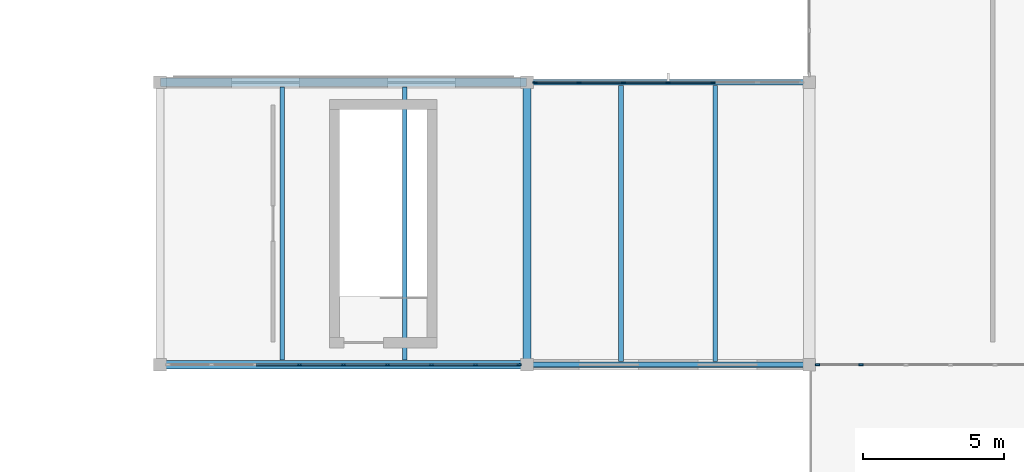
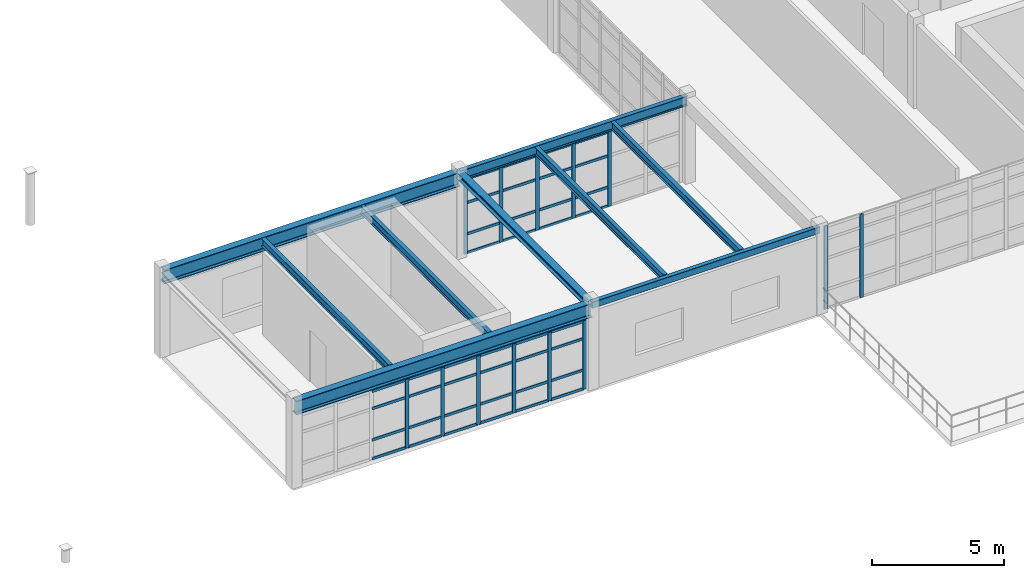
# One storey, part 59 of 122: 53 members, 9 beams, 3 elements without a shape of their own.
"""IFC4 building model written with IfcOpenShell, lengths in metres."""

from ifc_helpers import new_model, si_unit, direction, frame, origin, origin_2d, place, context, subcontext, project, spatial, rectangle, hollow_rectangle, i_section, extrude, material, layer, layer_set, material_profile, profile_set, type_object, element, aggregate, save


model = new_model("IFC4")

# Units and contexts
model_context = context("Model", 3, precision=1e-05, world=origin(), true_north=direction((0.0, 1.0)))
body_context = subcontext(model_context, "Body", "Model", "MODEL_VIEW")
ifc_project = project(units=[si_unit("LENGTHUNIT", "METRE"), si_unit("AREAUNIT", "SQUARE_METRE"), si_unit("VOLUMEUNIT", "CUBIC_METRE"), si_unit("PLANEANGLEUNIT", "RADIAN"), si_unit("MASSUNIT", "GRAM", prefix="KILO"), si_unit("THERMODYNAMICTEMPERATUREUNIT", "KELVIN"), si_unit("POWERUNIT", "WATT")], contexts=[model_context])

# Site, building, storey
site_placement = place(None, origin())
site = spatial("IfcSite", under=ifc_project, at=site_placement, CompositionType="ELEMENT")
building_placement = place(site_placement, origin())
building = spatial("IfcBuilding", under=site, at=building_placement, Name="Korenveer Ferry Terminal", CompositionType="ELEMENT")
storey_placement = place(building_placement, frame((0.0, 0.0, 10.199951171875)))
storey = spatial("IfcBuildingStorey", under=building, at=storey_placement, Name="L02", CompositionType="ELEMENT", Elevation=10.199951171875)

# Curtain wall, members
ifc_material_1 = material(Name="Unitised bronze-and-glass curtain wall", Category="glass")
ifc_layer_1 = layer(ifc_material_1, 0.159912109375)
ifc_layer_set_1 = layer_set([ifc_layer_1], Name="Unitised bronze-and-glass curtain wall")
curtain_wall_type_1 = type_object("IfcCurtainWallType", Name="ENV-CW-85", PredefinedType="USERDEFINED", material=ifc_layer_set_1)
curtain_wall_1_placement = place(storey_placement, frame((123.2548828125, 20.0, 0.0)))
curtain_wall_1 = element("IfcCurtainWall", 1, at=curtain_wall_1_placement, inside=storey, type_object=curtain_wall_type_1, Name="Lancet curtain wall CWX-L02-X123-136-Y20-20", ObjectType="UNITISED CURTAIN WALL", PredefinedType="USERDEFINED")
ifc_material_2 = material(Name="Anodised bronze aluminium", Category="aluminium")
ifc_material_profile_1 = material_profile(ifc_material_2, rectangle(XDim=0.06005859375, YDim=0.159912109375, at=origin_2d()), Name="ALU 60x160")
ifc_profile_set_1 = profile_set([ifc_material_profile_1], Name="Anodised bronze aluminium")
member_type_1 = type_object("IfcMemberType", Name="ENV-CWM-60X160", PredefinedType="MULLION", material=ifc_profile_set_1)
member_1_placement = place(storey_placement, frame((127.938720703125, 20.0, 0.0), z_axis=(0.0, 0.0, 1.0), x_axis=(0.0, 1.0, 0.0)))
member_1 = element("IfcMember", 2, at=member_1_placement, type_object=member_type_1, Name="CW-85 mullion 4", PredefinedType="MULLION", context=body_context, shape_type="SweptSolid", body=[
    extrude(rectangle(XDim=0.06005859375, YDim=0.159912109375, at=origin_2d()), origin(), (0.0, 0.0, 1.0), 3.179931640625),
])
member_2_placement = place(storey_placement, frame((129.5, 20.0, 0.0), z_axis=(0.0, 0.0, 1.0), x_axis=(0.0, 1.0, 0.0)))
member_2 = element("IfcMember", 3, at=member_2_placement, type_object=member_type_1, Name="CW-85 mullion 5", PredefinedType="MULLION", context=body_context, shape_type="SweptSolid", body=[
    extrude(rectangle(XDim=0.06005859375, YDim=0.159912109375, at=origin_2d()), origin(), (0.0, 0.0, 1.0), 3.179931640625),
])
member_3_placement = place(storey_placement, frame((131.061279296875, 20.0, 0.0), z_axis=(0.0, 0.0, 1.0), x_axis=(0.0, 1.0, 0.0)))
member_3 = element("IfcMember", 4, at=member_3_placement, type_object=member_type_1, Name="CW-85 mullion 6", PredefinedType="MULLION", context=body_context, shape_type="SweptSolid", body=[
    extrude(rectangle(XDim=0.06005859375, YDim=0.159912109375, at=origin_2d()), origin(), (0.0, 0.0, 1.0), 3.179931640625),
])
member_4_placement = place(storey_placement, frame((132.62255859375, 20.0, 0.0), z_axis=(0.0, 0.0, 1.0), x_axis=(0.0, 1.0, 0.0)))
member_4 = element("IfcMember", 5, at=member_4_placement, type_object=member_type_1, Name="CW-85 mullion 7", PredefinedType="MULLION", context=body_context, shape_type="SweptSolid", body=[
    extrude(rectangle(XDim=0.06005859375, YDim=0.159912109375, at=origin_2d()), origin(), (0.0, 0.0, 1.0), 3.179931640625),
])
member_5_placement = place(storey_placement, frame((134.183837890625, 20.0, 0.0), z_axis=(0.0, 0.0, 1.0), x_axis=(0.0, 1.0, 0.0)))
member_5 = element("IfcMember", 6, at=member_5_placement, type_object=member_type_1, Name="CW-85 mullion 8", PredefinedType="MULLION", context=body_context, shape_type="SweptSolid", body=[
    extrude(rectangle(XDim=0.06005859375, YDim=0.159912109375, at=origin_2d()), origin(), (0.0, 0.0, 1.0), 3.179931640625),
])
member_6_placement = place(storey_placement, frame((135.715087890625, 20.0, 0.0), z_axis=(0.0, 0.0, 1.0), x_axis=(0.0, 1.0, 0.0)))
member_6 = element("IfcMember", 7, at=member_6_placement, type_object=member_type_1, Name="CW-85 mullion 9", PredefinedType="MULLION", context=body_context, shape_type="SweptSolid", body=[
    extrude(rectangle(XDim=0.06005859375, YDim=0.159912109375, at=origin_2d()), origin(), (0.0, 0.0, 1.0), 3.179931640625),
])

ifc_layer_2 = layer(ifc_material_1, 0.159912109375)
ifc_layer_set_2 = layer_set([ifc_layer_2], Name="Unitised bronze-and-glass curtain wall")
curtain_wall_type_2 = type_object("IfcCurtainWallType", Name="ENV-CW-86", PredefinedType="USERDEFINED", material=ifc_layer_set_2)
curtain_wall_2_placement = place(storey_placement, frame((146.2548828125, 20.0, 0.0)))
curtain_wall_2 = element("IfcCurtainWall", 8, at=curtain_wall_2_placement, inside=storey, type_object=curtain_wall_type_2, Name="Lancet curtain wall CWX-L02-X146-156-Y20-20", ObjectType="UNITISED CURTAIN WALL", PredefinedType="USERDEFINED")
member_7_placement = place(storey_placement, frame((146.284912109375, 20.0, 0.0), z_axis=(0.0, 0.0, 1.0), x_axis=(0.0, 1.0, 0.0)))
member_7 = element("IfcMember", 9, at=member_7_placement, type_object=member_type_1, Name="CW-86 mullion 1", PredefinedType="MULLION", context=body_context, shape_type="SweptSolid", body=[
    extrude(rectangle(XDim=0.06005859375, YDim=0.159912109375, at=origin_2d()), origin(), (0.0, 0.0, 1.0), 3.860107421875),
])
member_8_placement = place(storey_placement, frame((147.836669921875, 20.0, 0.0), z_axis=(0.0, 0.0, 1.0), x_axis=(0.0, 1.0, 0.0)))
member_8 = element("IfcMember", 10, at=member_8_placement, type_object=member_type_1, Name="CW-86 mullion 2", PredefinedType="MULLION", context=body_context, shape_type="SweptSolid", body=[
    extrude(rectangle(XDim=0.06005859375, YDim=0.159912109375, at=origin_2d()), origin(), (0.0, 0.0, 1.0), 3.860107421875),
])
aggregate(curtain_wall_2, [member_7, member_8])

ifc_layer_3 = layer(ifc_material_1, 0.159912109375)
ifc_layer_set_3 = layer_set([ifc_layer_3], Name="Unitised bronze-and-glass curtain wall")
curtain_wall_type_3 = type_object("IfcCurtainWallType", Name="ENV-CW-89", PredefinedType="USERDEFINED", material=ifc_layer_set_3)
curtain_wall_3_placement = place(storey_placement, frame((136.2548828125, 30.0, 0.0)))
curtain_wall_3 = element("IfcCurtainWall", 11, at=curtain_wall_3_placement, inside=storey, type_object=curtain_wall_type_3, Name="Lancet curtain wall CWX-L02-X136-146-Y30-30", ObjectType="UNITISED CURTAIN WALL", PredefinedType="USERDEFINED")
member_9_placement = place(storey_placement, frame((136.284912109375, 30.0, 0.0), z_axis=(0.0, 0.0, 1.0), x_axis=(0.0, 1.0, 0.0)))
member_9 = element("IfcMember", 12, at=member_9_placement, type_object=member_type_1, Name="CW-89 mullion 1", PredefinedType="MULLION", context=body_context, shape_type="SweptSolid", body=[
    extrude(rectangle(XDim=0.06005859375, YDim=0.159912109375, at=origin_2d()), origin(), (0.0, 0.0, 1.0), 3.47998046875),
])
member_10_placement = place(storey_placement, frame((137.836669921875, 30.0, 0.0), z_axis=(0.0, 0.0, 1.0), x_axis=(0.0, 1.0, 0.0)))
member_10 = element("IfcMember", 13, at=member_10_placement, type_object=member_type_1, Name="CW-89 mullion 2", PredefinedType="MULLION", context=body_context, shape_type="SweptSolid", body=[
    extrude(rectangle(XDim=0.06005859375, YDim=0.159912109375, at=origin_2d()), origin(), (0.0, 0.0, 1.0), 3.47998046875),
])
member_11_placement = place(storey_placement, frame((139.418212890625, 30.0, 0.0), z_axis=(0.0, 0.0, 1.0), x_axis=(0.0, 1.0, 0.0)))
member_11 = element("IfcMember", 14, at=member_11_placement, type_object=member_type_1, Name="CW-89 mullion 3", PredefinedType="MULLION", context=body_context, shape_type="SweptSolid", body=[
    extrude(rectangle(XDim=0.06005859375, YDim=0.159912109375, at=origin_2d()), origin(), (0.0, 0.0, 1.0), 3.47998046875),
])
member_12_placement = place(storey_placement, frame((141.0, 30.0, 0.0), z_axis=(0.0, 0.0, 1.0), x_axis=(0.0, 1.0, 0.0)))
member_12 = element("IfcMember", 15, at=member_12_placement, type_object=member_type_1, Name="CW-89 mullion 4", PredefinedType="MULLION", context=body_context, shape_type="SweptSolid", body=[
    extrude(rectangle(XDim=0.06005859375, YDim=0.159912109375, at=origin_2d()), origin(), (0.0, 0.0, 1.0), 3.47998046875),
])
member_13_placement = place(storey_placement, frame((142.581787109375, 30.0, 0.0), z_axis=(0.0, 0.0, 1.0), x_axis=(0.0, 1.0, 0.0)))
member_13 = element("IfcMember", 16, at=member_13_placement, type_object=member_type_1, Name="CW-89 mullion 5", PredefinedType="MULLION", context=body_context, shape_type="SweptSolid", body=[
    extrude(rectangle(XDim=0.06005859375, YDim=0.159912109375, at=origin_2d()), origin(), (0.0, 0.0, 1.0), 3.47998046875),
])

# Member
ifc_material_profile_2 = material_profile(ifc_material_2, rectangle(XDim=0.06005859375, YDim=0.1201171875, at=origin_2d()), Name="ALU 60x120")
ifc_profile_set_2 = profile_set([ifc_material_profile_2], Name="Anodised bronze aluminium")
member_type_2 = type_object("IfcMemberType", Name="ENV-CWT-60X120", PredefinedType="USERDEFINED", material=ifc_profile_set_2)
member_14_placement = place(storey_placement, frame((126.407470703125, 20.0, 0.030029296875), z_axis=(1.0, 0.0, 0.0), x_axis=(0.0, 1.0, 0.0)))
member_14 = element("IfcMember", 17, at=member_14_placement, type_object=member_type_2, Name="CW-85 transom 3.1", ObjectType="TRANSOM", PredefinedType="USERDEFINED", context=body_context, shape_type="SweptSolid", body=[
    extrude(rectangle(XDim=0.06005859375, YDim=0.1201171875, at=origin_2d()), origin(), (0.0, 0.0, 1.0), 1.501220703125),
])

member_15_placement = place(storey_placement, frame((126.407470703125, 20.0, 0.900146484375), z_axis=(1.0, 0.0, 0.0), x_axis=(0.0, 1.0, 0.0)))
member_15 = element("IfcMember", 18, at=member_15_placement, type_object=member_type_2, Name="CW-85 transom 3.2", ObjectType="TRANSOM", PredefinedType="USERDEFINED", context=body_context, shape_type="SweptSolid", body=[
    extrude(rectangle(XDim=0.06005859375, YDim=0.1201171875, at=origin_2d()), origin(), (0.0, 0.0, 1.0), 1.501220703125),
])

member_16_placement = place(storey_placement, frame((126.407470703125, 20.0, 2.35009765625), z_axis=(1.0, 0.0, 0.0), x_axis=(0.0, 1.0, 0.0)))
member_16 = element("IfcMember", 19, at=member_16_placement, type_object=member_type_2, Name="CW-85 transom 3.3", ObjectType="TRANSOM", PredefinedType="USERDEFINED", context=body_context, shape_type="SweptSolid", body=[
    extrude(rectangle(XDim=0.06005859375, YDim=0.1201171875, at=origin_2d()), origin(), (0.0, 0.0, 1.0), 1.501220703125),
])

member_17_placement = place(storey_placement, frame((126.407470703125, 20.0, 3.150146484375), z_axis=(1.0, 0.0, 0.0), x_axis=(0.0, 1.0, 0.0)))
member_17 = element("IfcMember", 20, at=member_17_placement, type_object=member_type_2, Name="CW-85 transom 3.4", ObjectType="TRANSOM", PredefinedType="USERDEFINED", context=body_context, shape_type="SweptSolid", body=[
    extrude(rectangle(XDim=0.06005859375, YDim=0.1201171875, at=origin_2d()), origin(), (0.0, 0.0, 1.0), 1.501220703125),
])

member_18_placement = place(storey_placement, frame((127.96875, 20.0, 0.030029296875), z_axis=(1.0, 0.0, 0.0), x_axis=(0.0, 1.0, 0.0)))
member_18 = element("IfcMember", 21, at=member_18_placement, type_object=member_type_2, Name="CW-85 transom 4.1", ObjectType="TRANSOM", PredefinedType="USERDEFINED", context=body_context, shape_type="SweptSolid", body=[
    extrude(rectangle(XDim=0.06005859375, YDim=0.1201171875, at=origin_2d()), origin(), (0.0, 0.0, 1.0), 1.501220703125),
])

member_19_placement = place(storey_placement, frame((127.96875, 20.0, 0.900146484375), z_axis=(1.0, 0.0, 0.0), x_axis=(0.0, 1.0, 0.0)))
member_19 = element("IfcMember", 22, at=member_19_placement, type_object=member_type_2, Name="CW-85 transom 4.2", ObjectType="TRANSOM", PredefinedType="USERDEFINED", context=body_context, shape_type="SweptSolid", body=[
    extrude(rectangle(XDim=0.06005859375, YDim=0.1201171875, at=origin_2d()), origin(), (0.0, 0.0, 1.0), 1.501220703125),
])

member_20_placement = place(storey_placement, frame((127.96875, 20.0, 2.35009765625), z_axis=(1.0, 0.0, 0.0), x_axis=(0.0, 1.0, 0.0)))
member_20 = element("IfcMember", 23, at=member_20_placement, type_object=member_type_2, Name="CW-85 transom 4.3", ObjectType="TRANSOM", PredefinedType="USERDEFINED", context=body_context, shape_type="SweptSolid", body=[
    extrude(rectangle(XDim=0.06005859375, YDim=0.1201171875, at=origin_2d()), origin(), (0.0, 0.0, 1.0), 1.501220703125),
])

member_21_placement = place(storey_placement, frame((127.96875, 20.0, 3.150146484375), z_axis=(1.0, 0.0, 0.0), x_axis=(0.0, 1.0, 0.0)))
member_21 = element("IfcMember", 24, at=member_21_placement, type_object=member_type_2, Name="CW-85 transom 4.4", ObjectType="TRANSOM", PredefinedType="USERDEFINED", context=body_context, shape_type="SweptSolid", body=[
    extrude(rectangle(XDim=0.06005859375, YDim=0.1201171875, at=origin_2d()), origin(), (0.0, 0.0, 1.0), 1.501220703125),
])

member_22_placement = place(storey_placement, frame((129.530029296875, 20.0, 0.030029296875), z_axis=(1.0, 0.0, 0.0), x_axis=(0.0, 1.0, 0.0)))
member_22 = element("IfcMember", 25, at=member_22_placement, type_object=member_type_2, Name="CW-85 transom 5.1", ObjectType="TRANSOM", PredefinedType="USERDEFINED", context=body_context, shape_type="SweptSolid", body=[
    extrude(rectangle(XDim=0.06005859375, YDim=0.1201171875, at=origin_2d()), origin(), (0.0, 0.0, 1.0), 1.501220703125),
])

member_23_placement = place(storey_placement, frame((129.530029296875, 20.0, 0.900146484375), z_axis=(1.0, 0.0, 0.0), x_axis=(0.0, 1.0, 0.0)))
member_23 = element("IfcMember", 26, at=member_23_placement, type_object=member_type_2, Name="CW-85 transom 5.2", ObjectType="TRANSOM", PredefinedType="USERDEFINED", context=body_context, shape_type="SweptSolid", body=[
    extrude(rectangle(XDim=0.06005859375, YDim=0.1201171875, at=origin_2d()), origin(), (0.0, 0.0, 1.0), 1.501220703125),
])

member_24_placement = place(storey_placement, frame((129.530029296875, 20.0, 2.35009765625), z_axis=(1.0, 0.0, 0.0), x_axis=(0.0, 1.0, 0.0)))
member_24 = element("IfcMember", 27, at=member_24_placement, type_object=member_type_2, Name="CW-85 transom 5.3", ObjectType="TRANSOM", PredefinedType="USERDEFINED", context=body_context, shape_type="SweptSolid", body=[
    extrude(rectangle(XDim=0.06005859375, YDim=0.1201171875, at=origin_2d()), origin(), (0.0, 0.0, 1.0), 1.501220703125),
])

member_25_placement = place(storey_placement, frame((129.530029296875, 20.0, 3.150146484375), z_axis=(1.0, 0.0, 0.0), x_axis=(0.0, 1.0, 0.0)))
member_25 = element("IfcMember", 28, at=member_25_placement, type_object=member_type_2, Name="CW-85 transom 5.4", ObjectType="TRANSOM", PredefinedType="USERDEFINED", context=body_context, shape_type="SweptSolid", body=[
    extrude(rectangle(XDim=0.06005859375, YDim=0.1201171875, at=origin_2d()), origin(), (0.0, 0.0, 1.0), 1.501220703125),
])

member_26_placement = place(storey_placement, frame((131.09130859375, 20.0, 0.030029296875), z_axis=(1.0, 0.0, 0.0), x_axis=(0.0, 1.0, 0.0)))
member_26 = element("IfcMember", 29, at=member_26_placement, type_object=member_type_2, Name="CW-85 transom 6.1", ObjectType="TRANSOM", PredefinedType="USERDEFINED", context=body_context, shape_type="SweptSolid", body=[
    extrude(rectangle(XDim=0.06005859375, YDim=0.1201171875, at=origin_2d()), origin(), (0.0, 0.0, 1.0), 1.501220703125),
])

member_27_placement = place(storey_placement, frame((131.09130859375, 20.0, 0.900146484375), z_axis=(1.0, 0.0, 0.0), x_axis=(0.0, 1.0, 0.0)))
member_27 = element("IfcMember", 30, at=member_27_placement, type_object=member_type_2, Name="CW-85 transom 6.2", ObjectType="TRANSOM", PredefinedType="USERDEFINED", context=body_context, shape_type="SweptSolid", body=[
    extrude(rectangle(XDim=0.06005859375, YDim=0.1201171875, at=origin_2d()), origin(), (0.0, 0.0, 1.0), 1.501220703125),
])

member_28_placement = place(storey_placement, frame((131.09130859375, 20.0, 2.35009765625), z_axis=(1.0, 0.0, 0.0), x_axis=(0.0, 1.0, 0.0)))
member_28 = element("IfcMember", 31, at=member_28_placement, type_object=member_type_2, Name="CW-85 transom 6.3", ObjectType="TRANSOM", PredefinedType="USERDEFINED", context=body_context, shape_type="SweptSolid", body=[
    extrude(rectangle(XDim=0.06005859375, YDim=0.1201171875, at=origin_2d()), origin(), (0.0, 0.0, 1.0), 1.501220703125),
])

member_29_placement = place(storey_placement, frame((131.09130859375, 20.0, 3.150146484375), z_axis=(1.0, 0.0, 0.0), x_axis=(0.0, 1.0, 0.0)))
member_29 = element("IfcMember", 32, at=member_29_placement, type_object=member_type_2, Name="CW-85 transom 6.4", ObjectType="TRANSOM", PredefinedType="USERDEFINED", context=body_context, shape_type="SweptSolid", body=[
    extrude(rectangle(XDim=0.06005859375, YDim=0.1201171875, at=origin_2d()), origin(), (0.0, 0.0, 1.0), 1.501220703125),
])

member_30_placement = place(storey_placement, frame((132.652587890625, 20.0, 0.030029296875), z_axis=(1.0, 0.0, 0.0), x_axis=(0.0, 1.0, 0.0)))
member_30 = element("IfcMember", 33, at=member_30_placement, type_object=member_type_2, Name="CW-85 transom 7.1", ObjectType="TRANSOM", PredefinedType="USERDEFINED", context=body_context, shape_type="SweptSolid", body=[
    extrude(rectangle(XDim=0.06005859375, YDim=0.1201171875, at=origin_2d()), origin(), (0.0, 0.0, 1.0), 1.501220703125),
])

member_31_placement = place(storey_placement, frame((132.652587890625, 20.0, 0.900146484375), z_axis=(1.0, 0.0, 0.0), x_axis=(0.0, 1.0, 0.0)))
member_31 = element("IfcMember", 34, at=member_31_placement, type_object=member_type_2, Name="CW-85 transom 7.2", ObjectType="TRANSOM", PredefinedType="USERDEFINED", context=body_context, shape_type="SweptSolid", body=[
    extrude(rectangle(XDim=0.06005859375, YDim=0.1201171875, at=origin_2d()), origin(), (0.0, 0.0, 1.0), 1.501220703125),
])

member_32_placement = place(storey_placement, frame((132.652587890625, 20.0, 2.35009765625), z_axis=(1.0, 0.0, 0.0), x_axis=(0.0, 1.0, 0.0)))
member_32 = element("IfcMember", 35, at=member_32_placement, type_object=member_type_2, Name="CW-85 transom 7.3", ObjectType="TRANSOM", PredefinedType="USERDEFINED", context=body_context, shape_type="SweptSolid", body=[
    extrude(rectangle(XDim=0.06005859375, YDim=0.1201171875, at=origin_2d()), origin(), (0.0, 0.0, 1.0), 1.501220703125),
])

member_33_placement = place(storey_placement, frame((132.652587890625, 20.0, 3.150146484375), z_axis=(1.0, 0.0, 0.0), x_axis=(0.0, 1.0, 0.0)))
member_33 = element("IfcMember", 36, at=member_33_placement, type_object=member_type_2, Name="CW-85 transom 7.4", ObjectType="TRANSOM", PredefinedType="USERDEFINED", context=body_context, shape_type="SweptSolid", body=[
    extrude(rectangle(XDim=0.06005859375, YDim=0.1201171875, at=origin_2d()), origin(), (0.0, 0.0, 1.0), 1.501220703125),
])

member_34_placement = place(storey_placement, frame((134.2138671875, 20.0, 0.030029296875), z_axis=(1.0, 0.0, 0.0), x_axis=(0.0, 1.0, 0.0)))
member_34 = element("IfcMember", 37, at=member_34_placement, type_object=member_type_2, Name="CW-85 transom 8.1", ObjectType="TRANSOM", PredefinedType="USERDEFINED", context=body_context, shape_type="SweptSolid", body=[
    extrude(rectangle(XDim=0.06005859375, YDim=0.1201171875, at=origin_2d()), origin(), (0.0, 0.0, 1.0), 1.47119140625),
])

member_35_placement = place(storey_placement, frame((134.2138671875, 20.0, 0.900146484375), z_axis=(1.0, 0.0, 0.0), x_axis=(0.0, 1.0, 0.0)))
member_35 = element("IfcMember", 38, at=member_35_placement, type_object=member_type_2, Name="CW-85 transom 8.2", ObjectType="TRANSOM", PredefinedType="USERDEFINED", context=body_context, shape_type="SweptSolid", body=[
    extrude(rectangle(XDim=0.06005859375, YDim=0.1201171875, at=origin_2d()), origin(), (0.0, 0.0, 1.0), 1.47119140625),
])

member_36_placement = place(storey_placement, frame((134.2138671875, 20.0, 2.35009765625), z_axis=(1.0, 0.0, 0.0), x_axis=(0.0, 1.0, 0.0)))
member_36 = element("IfcMember", 39, at=member_36_placement, type_object=member_type_2, Name="CW-85 transom 8.3", ObjectType="TRANSOM", PredefinedType="USERDEFINED", context=body_context, shape_type="SweptSolid", body=[
    extrude(rectangle(XDim=0.06005859375, YDim=0.1201171875, at=origin_2d()), origin(), (0.0, 0.0, 1.0), 1.47119140625),
])

member_37_placement = place(storey_placement, frame((134.2138671875, 20.0, 3.150146484375), z_axis=(1.0, 0.0, 0.0), x_axis=(0.0, 1.0, 0.0)))
member_37 = element("IfcMember", 40, at=member_37_placement, type_object=member_type_2, Name="CW-85 transom 8.4", ObjectType="TRANSOM", PredefinedType="USERDEFINED", context=body_context, shape_type="SweptSolid", body=[
    extrude(rectangle(XDim=0.06005859375, YDim=0.1201171875, at=origin_2d()), origin(), (0.0, 0.0, 1.0), 1.47119140625),
])

aggregate(curtain_wall_1, [member_1, member_2, member_3, member_4, member_5, member_6, member_14, member_15, member_16, member_17, member_18, member_19, member_20, member_21, member_22, member_23, member_24, member_25, member_26, member_27, member_28, member_29, member_30, member_31, member_32, member_33, member_34, member_35, member_36, member_37])

member_38_placement = place(storey_placement, frame((136.31494140625, 30.0, 0.030029296875), z_axis=(1.0, 0.0, 0.0), x_axis=(0.0, 1.0, 0.0)))
member_38 = element("IfcMember", 41, at=member_38_placement, type_object=member_type_2, Name="CW-89 transom 1.1", ObjectType="TRANSOM", PredefinedType="USERDEFINED", context=body_context, shape_type="SweptSolid", body=[
    extrude(rectangle(XDim=0.06005859375, YDim=0.1201171875, at=origin_2d()), origin(), (0.0, 0.0, 1.0), 1.49169921875),
])

member_39_placement = place(storey_placement, frame((136.31494140625, 30.0, 0.900146484375), z_axis=(1.0, 0.0, 0.0), x_axis=(0.0, 1.0, 0.0)))
member_39 = element("IfcMember", 42, at=member_39_placement, type_object=member_type_2, Name="CW-89 transom 1.2", ObjectType="TRANSOM", PredefinedType="USERDEFINED", context=body_context, shape_type="SweptSolid", body=[
    extrude(rectangle(XDim=0.06005859375, YDim=0.1201171875, at=origin_2d()), origin(), (0.0, 0.0, 1.0), 1.49169921875),
])

member_40_placement = place(storey_placement, frame((136.31494140625, 30.0, 2.35009765625), z_axis=(1.0, 0.0, 0.0), x_axis=(0.0, 1.0, 0.0)))
member_40 = element("IfcMember", 43, at=member_40_placement, type_object=member_type_2, Name="CW-89 transom 1.3", ObjectType="TRANSOM", PredefinedType="USERDEFINED", context=body_context, shape_type="SweptSolid", body=[
    extrude(rectangle(XDim=0.06005859375, YDim=0.1201171875, at=origin_2d()), origin(), (0.0, 0.0, 1.0), 1.49169921875),
])

member_41_placement = place(storey_placement, frame((136.31494140625, 30.0, 3.449951171875), z_axis=(1.0, 0.0, 0.0), x_axis=(0.0, 1.0, 0.0)))
member_41 = element("IfcMember", 44, at=member_41_placement, type_object=member_type_2, Name="CW-89 transom 1.4", ObjectType="TRANSOM", PredefinedType="USERDEFINED", context=body_context, shape_type="SweptSolid", body=[
    extrude(rectangle(XDim=0.06005859375, YDim=0.1201171875, at=origin_2d()), origin(), (0.0, 0.0, 1.0), 1.49169921875),
])

member_42_placement = place(storey_placement, frame((137.86669921875, 30.0, 0.030029296875), z_axis=(1.0, 0.0, 0.0), x_axis=(0.0, 1.0, 0.0)))
member_42 = element("IfcMember", 45, at=member_42_placement, type_object=member_type_2, Name="CW-89 transom 2.1", ObjectType="TRANSOM", PredefinedType="USERDEFINED", context=body_context, shape_type="SweptSolid", body=[
    extrude(rectangle(XDim=0.06005859375, YDim=0.1201171875, at=origin_2d()), origin(), (0.0, 0.0, 1.0), 1.521728515625),
])

member_43_placement = place(storey_placement, frame((137.86669921875, 30.0, 0.900146484375), z_axis=(1.0, 0.0, 0.0), x_axis=(0.0, 1.0, 0.0)))
member_43 = element("IfcMember", 46, at=member_43_placement, type_object=member_type_2, Name="CW-89 transom 2.2", ObjectType="TRANSOM", PredefinedType="USERDEFINED", context=body_context, shape_type="SweptSolid", body=[
    extrude(rectangle(XDim=0.06005859375, YDim=0.1201171875, at=origin_2d()), origin(), (0.0, 0.0, 1.0), 1.521728515625),
])

member_44_placement = place(storey_placement, frame((137.86669921875, 30.0, 2.35009765625), z_axis=(1.0, 0.0, 0.0), x_axis=(0.0, 1.0, 0.0)))
member_44 = element("IfcMember", 47, at=member_44_placement, type_object=member_type_2, Name="CW-89 transom 2.3", ObjectType="TRANSOM", PredefinedType="USERDEFINED", context=body_context, shape_type="SweptSolid", body=[
    extrude(rectangle(XDim=0.06005859375, YDim=0.1201171875, at=origin_2d()), origin(), (0.0, 0.0, 1.0), 1.521728515625),
])

member_45_placement = place(storey_placement, frame((137.86669921875, 30.0, 3.449951171875), z_axis=(1.0, 0.0, 0.0), x_axis=(0.0, 1.0, 0.0)))
member_45 = element("IfcMember", 48, at=member_45_placement, type_object=member_type_2, Name="CW-89 transom 2.4", ObjectType="TRANSOM", PredefinedType="USERDEFINED", context=body_context, shape_type="SweptSolid", body=[
    extrude(rectangle(XDim=0.06005859375, YDim=0.1201171875, at=origin_2d()), origin(), (0.0, 0.0, 1.0), 1.521728515625),
])

member_46_placement = place(storey_placement, frame((139.4482421875, 30.0, 0.030029296875), z_axis=(1.0, 0.0, 0.0), x_axis=(0.0, 1.0, 0.0)))
member_46 = element("IfcMember", 49, at=member_46_placement, type_object=member_type_2, Name="CW-89 transom 3.1", ObjectType="TRANSOM", PredefinedType="USERDEFINED", context=body_context, shape_type="SweptSolid", body=[
    extrude(rectangle(XDim=0.06005859375, YDim=0.1201171875, at=origin_2d()), origin(), (0.0, 0.0, 1.0), 1.521728515625),
])

member_47_placement = place(storey_placement, frame((139.4482421875, 30.0, 0.900146484375), z_axis=(1.0, 0.0, 0.0), x_axis=(0.0, 1.0, 0.0)))
member_47 = element("IfcMember", 50, at=member_47_placement, type_object=member_type_2, Name="CW-89 transom 3.2", ObjectType="TRANSOM", PredefinedType="USERDEFINED", context=body_context, shape_type="SweptSolid", body=[
    extrude(rectangle(XDim=0.06005859375, YDim=0.1201171875, at=origin_2d()), origin(), (0.0, 0.0, 1.0), 1.521728515625),
])

member_48_placement = place(storey_placement, frame((139.4482421875, 30.0, 2.35009765625), z_axis=(1.0, 0.0, 0.0), x_axis=(0.0, 1.0, 0.0)))
member_48 = element("IfcMember", 51, at=member_48_placement, type_object=member_type_2, Name="CW-89 transom 3.3", ObjectType="TRANSOM", PredefinedType="USERDEFINED", context=body_context, shape_type="SweptSolid", body=[
    extrude(rectangle(XDim=0.06005859375, YDim=0.1201171875, at=origin_2d()), origin(), (0.0, 0.0, 1.0), 1.521728515625),
])

member_49_placement = place(storey_placement, frame((139.4482421875, 30.0, 3.449951171875), z_axis=(1.0, 0.0, 0.0), x_axis=(0.0, 1.0, 0.0)))
member_49 = element("IfcMember", 52, at=member_49_placement, type_object=member_type_2, Name="CW-89 transom 3.4", ObjectType="TRANSOM", PredefinedType="USERDEFINED", context=body_context, shape_type="SweptSolid", body=[
    extrude(rectangle(XDim=0.06005859375, YDim=0.1201171875, at=origin_2d()), origin(), (0.0, 0.0, 1.0), 1.521728515625),
])

member_50_placement = place(storey_placement, frame((141.030029296875, 30.0, 0.030029296875), z_axis=(1.0, 0.0, 0.0), x_axis=(0.0, 1.0, 0.0)))
member_50 = element("IfcMember", 53, at=member_50_placement, type_object=member_type_2, Name="CW-89 transom 4.1", ObjectType="TRANSOM", PredefinedType="USERDEFINED", context=body_context, shape_type="SweptSolid", body=[
    extrude(rectangle(XDim=0.06005859375, YDim=0.1201171875, at=origin_2d()), origin(), (0.0, 0.0, 1.0), 1.521728515625),
])

member_51_placement = place(storey_placement, frame((141.030029296875, 30.0, 0.900146484375), z_axis=(1.0, 0.0, 0.0), x_axis=(0.0, 1.0, 0.0)))
member_51 = element("IfcMember", 54, at=member_51_placement, type_object=member_type_2, Name="CW-89 transom 4.2", ObjectType="TRANSOM", PredefinedType="USERDEFINED", context=body_context, shape_type="SweptSolid", body=[
    extrude(rectangle(XDim=0.06005859375, YDim=0.1201171875, at=origin_2d()), origin(), (0.0, 0.0, 1.0), 1.521728515625),
])

member_52_placement = place(storey_placement, frame((141.030029296875, 30.0, 2.35009765625), z_axis=(1.0, 0.0, 0.0), x_axis=(0.0, 1.0, 0.0)))
member_52 = element("IfcMember", 55, at=member_52_placement, type_object=member_type_2, Name="CW-89 transom 4.3", ObjectType="TRANSOM", PredefinedType="USERDEFINED", context=body_context, shape_type="SweptSolid", body=[
    extrude(rectangle(XDim=0.06005859375, YDim=0.1201171875, at=origin_2d()), origin(), (0.0, 0.0, 1.0), 1.521728515625),
])

member_53_placement = place(storey_placement, frame((141.030029296875, 30.0, 3.449951171875), z_axis=(1.0, 0.0, 0.0), x_axis=(0.0, 1.0, 0.0)))
member_53 = element("IfcMember", 56, at=member_53_placement, type_object=member_type_2, Name="CW-89 transom 4.4", ObjectType="TRANSOM", PredefinedType="USERDEFINED", context=body_context, shape_type="SweptSolid", body=[
    extrude(rectangle(XDim=0.06005859375, YDim=0.1201171875, at=origin_2d()), origin(), (0.0, 0.0, 1.0), 1.521728515625),
])

aggregate(curtain_wall_3, [member_9, member_10, member_11, member_12, member_13, member_38, member_39, member_40, member_41, member_42, member_43, member_44, member_45, member_46, member_47, member_48, member_49, member_50, member_51, member_52, member_53])

# Beams
ifc_material_3 = material(Name="Steel S355", Category="steel")
ifc_material_profile_3 = material_profile(ifc_material_3, i_section(OverallWidth=0.300048828125, OverallDepth=0.2900390625, WebThickness=0.008544921875, FlangeThickness=0.013916015625, FilletRadius=0.027099609375, at=origin_2d()), Name="HEA 300")
ifc_profile_set_3 = profile_set([ifc_material_profile_3], Name="Steel S355")
beam_type_1 = type_object("IfcBeamType", Name="STR-BM-HEA300", PredefinedType="BEAM", material=ifc_profile_set_3)
beam_1_placement = place(storey_placement, frame((136.0, 20.02001953125, 3.81494140625), z_axis=(0.0, 1.0, 0.0), x_axis=(-1.0, 0.0, 0.0)))
element("IfcBeam", 57, at=beam_1_placement, inside=storey, type_object=beam_type_1, Name="Primary Y girder BMY-L03-X136-Y20-30", PredefinedType="BEAM", context=body_context, shape_type="SweptSolid", body=[
    extrude(i_section(OverallWidth=0.300048828125, OverallDepth=0.2900390625, WebThickness=0.008544921875, FlangeThickness=0.013916015625, FilletRadius=0.027099609375, at=origin_2d()), origin(), (0.0, 0.0, 1.0), 9.9599609375),
])
ifc_material_profile_4 = material_profile(ifc_material_3, i_section(OverallWidth=0.300048828125, OverallDepth=0.64990234375, WebThickness=0.01611328125, FlangeThickness=0.031005859375, FilletRadius=0.027099609375, at=origin_2d()), Name="HEB 650")
ifc_profile_set_4 = profile_set([ifc_material_profile_4], Name="Steel S355")
beam_type_2 = type_object("IfcBeamType", Name="STR-BM-HEB650", PredefinedType="BEAM", material=ifc_profile_set_4)
for number, where, z_axis, x_axis, name in (
    (58, (123.02001953125, 20.0, 3.635009765625), (1.0, 0.0, 0.0), (0.0, 1.0, 0.0), "Primary X girder BMX-L03-X123-136-Y20"),
    (59, (123.02001953125, 30.0, 3.635009765625), (1.0, 0.0, 0.0), (0.0, 1.0, 0.0), "Primary X girder BMX-L03-X123-136-Y30"),
):
    element("IfcBeam", number, at=place(storey_placement, frame(where, z_axis=z_axis, x_axis=x_axis)), inside=storey, type_object=beam_type_2, Name=name, PredefinedType="BEAM", context=body_context, shape_type="SweptSolid", body=[
        extrude(i_section(OverallWidth=0.300048828125, OverallDepth=0.64990234375, WebThickness=0.01611328125, FlangeThickness=0.031005859375, FilletRadius=0.027099609375, at=origin_2d()), origin(), (0.0, 0.0, 1.0), 12.9599609375),
    ])
ifc_material_profile_5 = material_profile(ifc_material_3, i_section(OverallWidth=0.18994140625, OverallDepth=0.449951171875, WebThickness=0.009521484375, FlangeThickness=0.0146484375, FilletRadius=0.02099609375, at=origin_2d()), Name="IPE 450")
ifc_profile_set_5 = profile_set([ifc_material_profile_5], Name="Steel S355")
beam_type_3 = type_object("IfcBeamType", Name="STR-BM-IPE450", PredefinedType="BEAM", material=ifc_profile_set_5)
beam_2_placement = place(storey_placement, frame((136.02001953125, 30.0, 3.735107421875), z_axis=(1.0, 0.0, 0.0), x_axis=(0.0, 1.0, 0.0)))
element("IfcBeam", 60, at=beam_2_placement, inside=storey, type_object=beam_type_3, Name="Primary X girder BMX-L03-X136-146-Y30", PredefinedType="BEAM", context=body_context, shape_type="SweptSolid", body=[
    extrude(i_section(OverallWidth=0.18994140625, OverallDepth=0.449951171875, WebThickness=0.009521484375, FlangeThickness=0.0146484375, FilletRadius=0.02099609375, at=origin_2d()), origin(), (0.0, 0.0, 1.0), 9.9599609375),
])
ifc_material_profile_6 = material_profile(ifc_material_3, i_section(OverallWidth=0.169921875, OverallDepth=0.360107421875, WebThickness=0.008056640625, FlangeThickness=0.0126953125, FilletRadius=0.01806640625, at=origin_2d()), Name="IPE 360")
ifc_profile_set_6 = profile_set([ifc_material_profile_6], Name="Steel S355")
beam_type_4 = type_object("IfcBeamType", Name="STR-JST-IPE360", PredefinedType="JOIST", material=ifc_profile_set_6)
for number, where, z_axis, x_axis, name in (
    (61, (127.333251953125, 20.159912109375, 3.780029296875), (0.0, 1.0, 0.0), (-1.0, 0.0, 0.0), "Secondary composite joist JST-L03-X1273-Y20-30"),
    (62, (131.666748046875, 20.159912109375, 3.780029296875), (0.0, 1.0, 0.0), (-1.0, 0.0, 0.0), "Secondary composite joist JST-L03-X1317-Y20-30"),
):
    element("IfcBeam", number, at=place(storey_placement, frame(where, z_axis=z_axis, x_axis=x_axis)), inside=storey, type_object=beam_type_4, Name=name, PredefinedType="JOIST", context=body_context, shape_type="SweptSolid", body=[
        extrude(i_section(OverallWidth=0.169921875, OverallDepth=0.360107421875, WebThickness=0.008056640625, FlangeThickness=0.0126953125, FilletRadius=0.01806640625, at=origin_2d()), origin(), (0.0, 0.0, 1.0), 9.68017578125),
    ])
for number, where, z_axis, x_axis, name in (
    (63, (139.333251953125, 20.110107421875, 3.780029296875), (0.0, 1.0, 0.0), (-1.0, 0.0, 0.0), "Secondary composite joist JST-L03-X1393-Y20-30"),
    (64, (142.666748046875, 20.110107421875, 3.780029296875), (0.0, 1.0, 0.0), (-1.0, 0.0, 0.0), "Secondary composite joist JST-L03-X1427-Y20-30"),
):
    element("IfcBeam", number, at=place(storey_placement, frame(where, z_axis=z_axis, x_axis=x_axis)), inside=storey, type_object=beam_type_4, Name=name, PredefinedType="JOIST", context=body_context, shape_type="SweptSolid", body=[
        extrude(i_section(OverallWidth=0.169921875, OverallDepth=0.360107421875, WebThickness=0.008056640625, FlangeThickness=0.0126953125, FilletRadius=0.01806640625, at=origin_2d()), origin(), (0.0, 0.0, 1.0), 9.784912109375),
    ])
ifc_material_profile_7 = material_profile(ifc_material_3, hollow_rectangle(XDim=0.199951171875, YDim=0.300048828125, WallThickness=0.012451171875, InnerFilletRadius=0.012451171875, OuterFilletRadius=0.018798828125, at=origin_2d()), Name="RHS 300x200x12.5")
ifc_profile_set_7 = profile_set([ifc_material_profile_7], Name="Steel S355")
beam_type_5 = type_object("IfcBeamType", Name="STR-SPD-RHS300", PredefinedType="SPANDREL", material=ifc_profile_set_7)
beam_3_placement = place(storey_placement, frame((136.02001953125, 20.0, 3.81005859375), z_axis=(1.0, 0.0, 0.0), x_axis=(0.0, 1.0, 0.0)))
element("IfcBeam", 65, at=beam_3_placement, inside=storey, type_object=beam_type_5, Name="Primary X girder BMX-L03-X136-146-Y20", PredefinedType="SPANDREL", context=body_context, shape_type="SweptSolid", body=[
    extrude(hollow_rectangle(XDim=0.199951171875, YDim=0.300048828125, WallThickness=0.012451171875, InnerFilletRadius=0.012451171875, OuterFilletRadius=0.018798828125, at=origin_2d()), origin(), (0.0, 0.0, 1.0), 9.9599609375),
])

save(model, "model.ifc")
